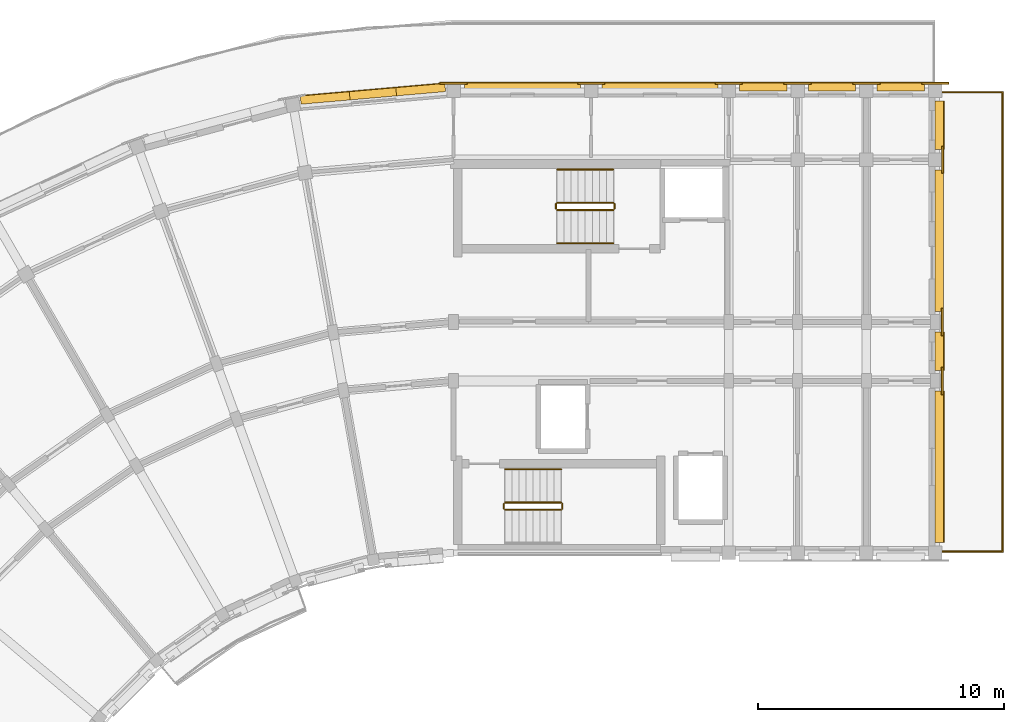
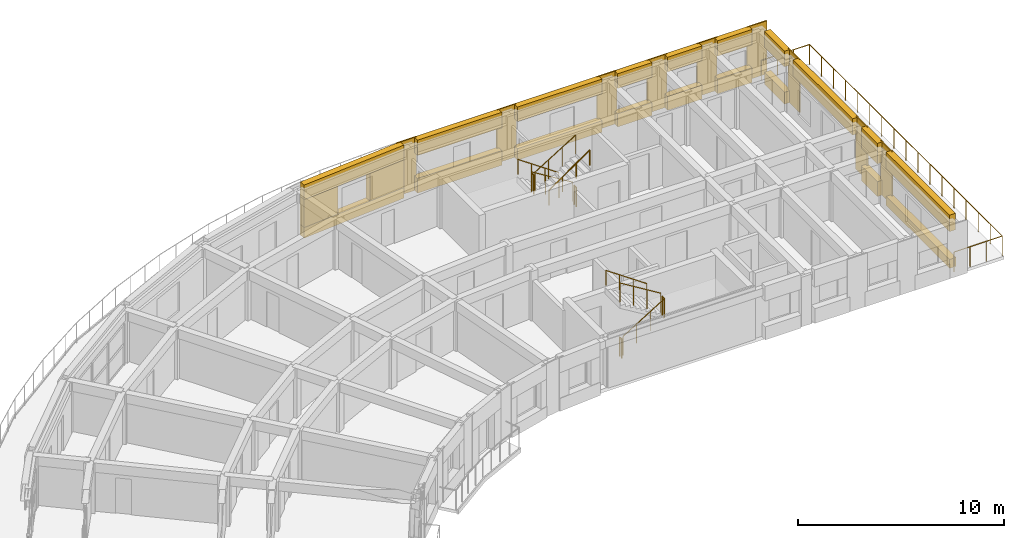
# One storey, part 16 of 16: 30 coverings, 12 railings.
"""IFC4 building model written with IfcOpenShell, lengths in metres."""

from ifc_helpers import new_model, si_unit, direction, frame, origin, origin_2d, place, context, subcontext, project, spatial, polyline, circle, outline, extrude, material, layer, layer_set, type_object, element, save


model = new_model("IFC4")

# Units and contexts
model_context = context("Model", 3, precision=1e-05, world=origin(), true_north=direction((0.0, 1.0)))
body_context = subcontext(model_context, "Body", "Model", "MODEL_VIEW")
ifc_project = project(units=[si_unit("LENGTHUNIT", "METRE"), si_unit("AREAUNIT", "SQUARE_METRE"), si_unit("VOLUMEUNIT", "CUBIC_METRE"), si_unit("PLANEANGLEUNIT", "RADIAN"), si_unit("MASSUNIT", "GRAM", prefix="KILO")], contexts=[model_context])

# Site, building, storey
site_placement = place(None, origin())
site = spatial("IfcSite", under=ifc_project, at=site_placement, CompositionType="ELEMENT")
building_placement = place(site_placement, origin())
building = spatial("IfcBuilding", under=site, at=building_placement, Name="Kiranvali Square Residences", CompositionType="ELEMENT")
storey_placement = place(building_placement, frame((0.0, 0.0, 46.5)))
storey = spatial("IfcBuildingStorey", under=building, at=storey_placement, Name="L14", CompositionType="ELEMENT", Elevation=46.5)

# Coverings
ifc_material_1 = material(Name="Honed Porbandar limestone ashlar facade cladding", Category="masonry")
ifc_layer_1 = layer(ifc_material_1, 0.3798828125)
ifc_layer_set_1 = layer_set([ifc_layer_1], Name="Honed Porbandar limestone ashlar facade cladding")
covering_type_1 = type_object("IfcCoveringType", Name="COV-CLAD-JAMB", PredefinedType="CLADDING", material=ifc_layer_set_1)
covering_1_placement = place(storey_placement, frame((0.0, 0.0, 0.6298828125)))
element("IfcCovering", 1, at=covering_1_placement, inside=storey, type_object=covering_type_1, Name="L14 deep limestone window jamb reveal A-L14-CRV-00.L", PredefinedType="CLADDING", context=body_context, shape_type="SweptSolid", body=[
    extrude(outline(polyline([(47.846923828125, 125.705322265625), (45.8525390625, 125.531005859375), (45.8818359375, 125.19775390625), (47.876220703125, 125.3720703125), (47.846923828125, 125.705322265625)])), origin(), (0.0, 0.0, 1.0), 1.650146484375),
])
covering_2_placement = place(storey_placement, frame((0.0, 0.0, 0.6298828125)))
element("IfcCovering", 2, at=covering_2_placement, inside=storey, type_object=covering_type_1, Name="L14 deep limestone window jamb reveal A-L14-CRV-00.R", PredefinedType="CLADDING", context=body_context, shape_type="SweptSolid", body=[
    extrude(outline(polyline([(43.959716796875, 125.365234375), (41.96533203125, 125.19091796875), (41.99462890625, 124.857666015625), (43.989013671875, 125.031982421875), (43.959716796875, 125.365234375)])), origin(), (0.0, 0.0, 1.0), 1.650146484375),
])
ifc_layer_2 = layer(ifc_material_1, 0.06494140625)
ifc_layer_set_2 = layer_set([ifc_layer_2], Name="Honed Porbandar limestone ashlar facade cladding")
covering_type_2 = type_object("IfcCoveringType", Name="COV-CLAD-PIER", PredefinedType="CLADDING", material=ifc_layer_set_2)
covering_3_placement = place(storey_placement, frame((0.0, 0.0, 0.0048828125)))
element("IfcCovering", 3, at=covering_3_placement, inside=storey, type_object=covering_type_2, Name="L14 Classical limestone corner pilaster CLAD-PR-A-L14-A00", PredefinedType="CLADDING", context=body_context, shape_type="SweptSolid", body=[
    extrude(outline(polyline([(48.7548828125, 125.742919921875), (47.64501953125, 125.742919921875), (47.64501953125, 125.675537109375), (48.7548828125, 125.675537109375), (48.7548828125, 125.742919921875)])), origin(), (0.0, 0.0, 1.0), 3.14013671875),
])
ifc_layer_3 = layer(ifc_material_1, 0.054931640625)
ifc_layer_set_3 = layer_set([ifc_layer_3], Name="Honed Porbandar limestone ashlar facade cladding")
covering_type_3 = type_object("IfcCoveringType", Name="COV-CLAD-PIER-UP", PredefinedType="CLADDING", material=ifc_layer_set_3)
covering_4_placement = place(storey_placement, frame((0.0, 0.0, 0.0048828125)))
element("IfcCovering", 4, at=covering_4_placement, inside=storey, type_object=covering_type_3, Name="L14 Classical limestone pilaster casing CLAD-PR-A-L14-U56", PredefinedType="CLADDING", context=body_context, shape_type="SweptSolid", body=[
    extrude(outline(polyline([(53.2451171875, 125.675537109375), (54.35498046875, 125.675537109375), (54.35498046875, 125.742919921875), (53.2451171875, 125.742919921875), (53.2451171875, 125.675537109375)])), origin(), (0.0, 0.0, 1.0), 3.14013671875),
])
covering_5_placement = place(storey_placement, frame((0.0, 0.0, 0.0048828125)))
element("IfcCovering", 5, at=covering_5_placement, inside=storey, type_object=covering_type_3, Name="L14 Classical limestone pilaster casing CLAD-PR-A-L14-U112", PredefinedType="CLADDING", context=body_context, shape_type="SweptSolid", body=[
    extrude(outline(polyline([(58.844970703125, 125.675537109375), (59.955078125, 125.675537109375), (59.955078125, 125.742919921875), (58.844970703125, 125.742919921875), (58.844970703125, 125.675537109375)])), origin(), (0.0, 0.0, 1.0), 3.14013671875),
])
covering_6_placement = place(storey_placement, frame((0.0, 0.0, 0.0048828125)))
element("IfcCovering", 6, at=covering_6_placement, inside=storey, type_object=covering_type_3, Name="L14 Classical limestone pilaster casing CLAD-PR-A-L14-U140", PredefinedType="CLADDING", context=body_context, shape_type="SweptSolid", body=[
    extrude(outline(polyline([(61.64501953125, 125.675537109375), (62.7548828125, 125.675537109375), (62.7548828125, 125.742919921875), (61.64501953125, 125.742919921875), (61.64501953125, 125.675537109375)])), origin(), (0.0, 0.0, 1.0), 3.14013671875),
])
covering_7_placement = place(storey_placement, frame((0.0, 0.0, 0.0048828125)))
element("IfcCovering", 7, at=covering_7_placement, inside=storey, type_object=covering_type_3, Name="L14 Classical limestone pilaster casing CLAD-PR-A-L14-U167", PredefinedType="CLADDING", context=body_context, shape_type="SweptSolid", body=[
    extrude(outline(polyline([(64.445068359375, 125.675537109375), (65.554931640625, 125.675537109375), (65.554931640625, 125.742919921875), (64.445068359375, 125.742919921875), (64.445068359375, 125.675537109375)])), origin(), (0.0, 0.0, 1.0), 3.14013671875),
])
covering_8_placement = place(storey_placement, frame((0.0, 0.0, 0.0048828125)))
element("IfcCovering", 8, at=covering_8_placement, inside=storey, type_object=covering_type_3, Name="L14 Classical limestone pilaster casing CLAD-PR-A-L14-U195", PredefinedType="CLADDING", context=body_context, shape_type="SweptSolid", body=[
    extrude(outline(polyline([(67.2451171875, 125.675537109375), (68.35498046875, 125.675537109375), (68.35498046875, 125.742919921875), (67.2451171875, 125.742919921875), (67.2451171875, 125.675537109375)])), origin(), (0.0, 0.0, 1.0), 3.14013671875),
])
covering_9_placement = place(storey_placement, frame((0.0, 0.0, 0.0048828125)))
element("IfcCovering", 9, at=covering_9_placement, inside=storey, type_object=covering_type_3, Name="L14 Classical limestone pilaster casing CLAD-PRA1E-A-L14-R258", PredefinedType="CLADDING", context=body_context, shape_type="SweptSolid", body=[
    extrude(outline(polyline([(68.117919921875, 113.044921875), (68.117919921875, 114.155029296875), (68.050537109375, 114.155029296875), (68.050537109375, 113.044921875), (68.117919921875, 113.044921875)])), origin(), (0.0, 0.0, 1.0), 3.14013671875),
])
covering_10_placement = place(storey_placement, frame((0.0, 0.0, 0.0048828125)))
element("IfcCovering", 10, at=covering_10_placement, inside=storey, type_object=covering_type_3, Name="L14 Classical limestone pilaster casing CLAD-PRA1E-A-L14-R282", PredefinedType="CLADDING", context=body_context, shape_type="SweptSolid", body=[
    extrude(outline(polyline([(68.117919921875, 115.445068359375), (68.117919921875, 116.554931640625), (68.050537109375, 116.554931640625), (68.050537109375, 115.445068359375), (68.117919921875, 115.445068359375)])), origin(), (0.0, 0.0, 1.0), 3.14013671875),
])
covering_11_placement = place(storey_placement, frame((0.0, 0.0, 0.0048828125)))
element("IfcCovering", 11, at=covering_11_placement, inside=storey, type_object=covering_type_3, Name="L14 Classical limestone pilaster casing CLAD-PRA1E-A-L14-R348", PredefinedType="CLADDING", context=body_context, shape_type="SweptSolid", body=[
    extrude(outline(polyline([(68.14306640625, 122.044921875), (68.14306640625, 123.155029296875), (68.075439453125, 123.155029296875), (68.075439453125, 122.044921875), (68.14306640625, 122.044921875)])), origin(), (0.0, 0.0, 1.0), 3.14013671875),
])
ifc_layer_4 = layer(ifc_material_1, 0.360107421875)
ifc_layer_set_4 = layer_set([ifc_layer_4], Name="Honed Porbandar limestone ashlar facade cladding")
covering_type_4 = type_object("IfcCoveringType", Name="COV-CLAD-WALL", PredefinedType="CLADDING", material=ifc_layer_set_4)
covering_12_placement = place(storey_placement, frame((0.0, 0.0, 2.280029296875)))
element("IfcCovering", 12, at=covering_12_placement, inside=storey, type_object=covering_type_4, Name="L14 light limestone spandrel lintel A-L14-CRV-00", PredefinedType="CLADDING", context=body_context, shape_type="SweptSolid", body=[
    extrude(outline(polyline([(47.846923828125, 125.705322265625), (41.96533203125, 125.19091796875), (41.99462890625, 124.857666015625), (47.876220703125, 125.3720703125), (47.846923828125, 125.705322265625)])), origin(), (0.0, 0.0, 1.0), 0.864990234375),
])
covering_13_placement = place(storey_placement, frame((0.0, 0.0, 2.22998046875)))
element("IfcCovering", 13, at=covering_13_placement, inside=storey, type_object=covering_type_4, Name="L14 light limestone spandrel lintel A-L14-A1O-0", PredefinedType="CLADDING", context=body_context, shape_type="SweptSolid", body=[
    extrude(outline(polyline([(48.639892578125, 125.400390625), (53.360107421875, 125.400390625), (53.360107421875, 125.72509765625), (48.639892578125, 125.72509765625), (48.639892578125, 125.400390625)])), origin(), (0.0, 0.0, 1.0), 0.9150390625),
])
covering_14_placement = place(storey_placement, frame((0.0, 0.0, 2.280029296875)))
element("IfcCovering", 14, at=covering_14_placement, inside=storey, type_object=covering_type_4, Name="L14 light limestone spandrel lintel A-L14-A1O-1", PredefinedType="CLADDING", context=body_context, shape_type="SweptSolid", body=[
    extrude(outline(polyline([(54.239990234375, 125.400390625), (58.9599609375, 125.400390625), (58.9599609375, 125.72509765625), (54.239990234375, 125.72509765625), (54.239990234375, 125.400390625)])), origin(), (0.0, 0.0, 1.0), 0.864990234375),
])
covering_15_placement = place(storey_placement, frame((0.0, 0.0, 2.280029296875)))
element("IfcCovering", 15, at=covering_15_placement, inside=storey, type_object=covering_type_4, Name="L14 light limestone spandrel lintel A-L14-A1O-2", PredefinedType="CLADDING", context=body_context, shape_type="SweptSolid", body=[
    extrude(outline(polyline([(59.840087890625, 125.400390625), (61.760009765625, 125.400390625), (61.760009765625, 125.72509765625), (59.840087890625, 125.72509765625), (59.840087890625, 125.400390625)])), origin(), (0.0, 0.0, 1.0), 0.864990234375),
])
covering_16_placement = place(storey_placement, frame((0.0, 0.0, 2.280029296875)))
element("IfcCovering", 16, at=covering_16_placement, inside=storey, type_object=covering_type_4, Name="L14 light limestone spandrel lintel A-L14-A1O-3", PredefinedType="CLADDING", context=body_context, shape_type="SweptSolid", body=[
    extrude(outline(polyline([(62.639892578125, 125.400390625), (64.56005859375, 125.400390625), (64.56005859375, 125.72509765625), (62.639892578125, 125.72509765625), (62.639892578125, 125.400390625)])), origin(), (0.0, 0.0, 1.0), 0.864990234375),
])
covering_17_placement = place(storey_placement, frame((0.0, 0.0, 2.22998046875)))
element("IfcCovering", 17, at=covering_17_placement, inside=storey, type_object=covering_type_4, Name="L14 light limestone spandrel lintel A-L14-A1O-4", PredefinedType="CLADDING", context=body_context, shape_type="SweptSolid", body=[
    extrude(outline(polyline([(65.43994140625, 125.400390625), (67.360107421875, 125.400390625), (67.360107421875, 125.72509765625), (65.43994140625, 125.72509765625), (65.43994140625, 125.400390625)])), origin(), (0.0, 0.0, 1.0), 0.9150390625),
])
covering_18_placement = place(storey_placement, frame((0.0, 0.0, 2.172119140625)))
element("IfcCovering", 18, at=covering_18_placement, inside=storey, type_object=covering_type_4, Name="L14 light limestone spandrel lintel A-L14-A1END-0", PredefinedType="CLADDING", context=body_context, shape_type="SweptSolid", body=[
    extrude(outline(polyline([(68.139892578125, 107.02001953125), (68.139892578125, 113.179931640625), (67.800537109375, 113.179931640625), (67.800537109375, 107.02001953125), (68.139892578125, 107.02001953125)])), origin(), (0.0, 0.0, 1.0), 0.972900390625),
])
covering_19_placement = place(storey_placement, frame((0.0, 0.0, 1.929931640625)))
element("IfcCovering", 19, at=covering_19_placement, inside=storey, type_object=covering_type_4, Name="L14 light limestone spandrel lintel A-L14-A1END-1", PredefinedType="CLADDING", context=body_context, shape_type="SweptSolid", body=[
    extrude(outline(polyline([(68.139892578125, 114.02001953125), (68.139892578125, 115.580078125), (67.800537109375, 115.580078125), (67.800537109375, 114.02001953125), (68.139892578125, 114.02001953125)])), origin(), (0.0, 0.0, 1.0), 1.215087890625),
])
covering_20_placement = place(storey_placement, frame((0.0, 0.0, 2.179931640625)))
element("IfcCovering", 20, at=covering_20_placement, inside=storey, type_object=covering_type_4, Name="L14 light limestone spandrel lintel A-L14-A1END-2", PredefinedType="CLADDING", context=body_context, shape_type="SweptSolid", body=[
    extrude(outline(polyline([(68.139892578125, 116.419921875), (68.139892578125, 122.179931640625), (67.800537109375, 122.179931640625), (67.800537109375, 116.419921875), (68.139892578125, 116.419921875)])), origin(), (0.0, 0.0, 1.0), 0.965087890625),
])
covering_21_placement = place(storey_placement, frame((0.0, 0.0, 2.2119140625)))
element("IfcCovering", 21, at=covering_21_placement, inside=storey, type_object=covering_type_4, Name="L14 light limestone spandrel lintel A-L14-A1END-3", PredefinedType="CLADDING", context=body_context, shape_type="SweptSolid", body=[
    extrude(outline(polyline([(68.139892578125, 123.02001953125), (68.139892578125, 124.97998046875), (67.800537109375, 124.97998046875), (67.800537109375, 123.02001953125), (68.139892578125, 123.02001953125)])), origin(), (0.0, 0.0, 1.0), 0.93310546875),
])
ifc_layer_5 = layer(ifc_material_1, 0.320068359375)
ifc_layer_set_5 = layer_set([ifc_layer_5], Name="Honed Porbandar limestone ashlar facade cladding")
covering_type_5 = type_object("IfcCoveringType", Name="COV-CLAD-WALL-UP", PredefinedType="CLADDING", material=ifc_layer_set_5)
covering_22_placement = place(storey_placement, frame((0.0, 0.0, 0.0048828125)))
element("IfcCovering", 22, at=covering_22_placement, inside=storey, type_object=covering_type_5, Name="L14 limestone window sill apron A-L14-CRV-00", PredefinedType="CLADDING", context=body_context, shape_type="SweptSolid", body=[
    extrude(outline(polyline([(47.844482421875, 125.7353515625), (41.962890625, 125.220703125), (41.99462890625, 124.857666015625), (47.876220703125, 125.3720703125), (47.844482421875, 125.7353515625)])), origin(), (0.0, 0.0, 1.0), 0.625),
])
covering_23_placement = place(storey_placement, frame((0.0, 0.0, 0.0048828125)))
element("IfcCovering", 23, at=covering_23_placement, inside=storey, type_object=covering_type_5, Name="L14 limestone window sill apron A-L14-A1O-0", PredefinedType="CLADDING", context=body_context, shape_type="SweptSolid", body=[
    extrude(outline(polyline([(48.639892578125, 125.400390625), (53.360107421875, 125.400390625), (53.360107421875, 125.7548828125), (48.639892578125, 125.7548828125), (48.639892578125, 125.400390625)])), origin(), (0.0, 0.0, 1.0), 0.875),
])
covering_24_placement = place(storey_placement, frame((0.0, 0.0, 0.0048828125)))
element("IfcCovering", 24, at=covering_24_placement, inside=storey, type_object=covering_type_5, Name="L14 limestone window sill apron A-L14-A1O-1", PredefinedType="CLADDING", context=body_context, shape_type="SweptSolid", body=[
    extrude(outline(polyline([(54.239990234375, 125.400390625), (58.9599609375, 125.400390625), (58.9599609375, 125.7548828125), (54.239990234375, 125.7548828125), (54.239990234375, 125.400390625)])), origin(), (0.0, 0.0, 1.0), 0.675048828125),
])
covering_25_placement = place(storey_placement, frame((0.0, 0.0, 0.0048828125)))
element("IfcCovering", 25, at=covering_25_placement, inside=storey, type_object=covering_type_5, Name="L14 limestone window sill apron A-L14-A1O-2", PredefinedType="CLADDING", context=body_context, shape_type="SweptSolid", body=[
    extrude(outline(polyline([(59.840087890625, 125.400390625), (61.760009765625, 125.400390625), (61.760009765625, 125.7548828125), (59.840087890625, 125.7548828125), (59.840087890625, 125.400390625)])), origin(), (0.0, 0.0, 1.0), 0.775146484375),
])
covering_26_placement = place(storey_placement, frame((0.0, 0.0, 0.0048828125)))
element("IfcCovering", 26, at=covering_26_placement, inside=storey, type_object=covering_type_5, Name="L14 limestone window sill apron A-L14-A1O-3", PredefinedType="CLADDING", context=body_context, shape_type="SweptSolid", body=[
    extrude(outline(polyline([(62.639892578125, 125.400390625), (64.56005859375, 125.400390625), (64.56005859375, 125.7548828125), (62.639892578125, 125.7548828125), (62.639892578125, 125.400390625)])), origin(), (0.0, 0.0, 1.0), 0.8251953125),
])
covering_27_placement = place(storey_placement, frame((0.0, 0.0, 0.0048828125)))
element("IfcCovering", 27, at=covering_27_placement, inside=storey, type_object=covering_type_5, Name="L14 limestone window sill apron A-L14-A1O-4", PredefinedType="CLADDING", context=body_context, shape_type="SweptSolid", body=[
    extrude(outline(polyline([(65.43994140625, 125.400390625), (67.360107421875, 125.400390625), (67.360107421875, 125.7548828125), (65.43994140625, 125.7548828125), (65.43994140625, 125.400390625)])), origin(), (0.0, 0.0, 1.0), 0.875),
])
covering_28_placement = place(storey_placement, frame((0.0, 0.0, 0.0048828125)))
element("IfcCovering", 28, at=covering_28_placement, inside=storey, type_object=covering_type_5, Name="L14 limestone window sill apron A-L14-A1END-0", PredefinedType="CLADDING", context=body_context, shape_type="SweptSolid", body=[
    extrude(outline(polyline([(68.169921875, 107.02001953125), (68.169921875, 113.179931640625), (67.800537109375, 113.179931640625), (67.800537109375, 107.02001953125), (68.169921875, 107.02001953125)])), origin(), (0.0, 0.0, 1.0), 0.51708984375),
])
covering_29_placement = place(storey_placement, frame((0.0, 0.0, 0.0048828125)))
element("IfcCovering", 29, at=covering_29_placement, inside=storey, type_object=covering_type_5, Name="L14 limestone window sill apron A-L14-A1END-1", PredefinedType="CLADDING", context=body_context, shape_type="SweptSolid", body=[
    extrude(outline(polyline([(68.169921875, 114.02001953125), (68.169921875, 115.580078125), (67.800537109375, 115.580078125), (67.800537109375, 114.02001953125), (68.169921875, 114.02001953125)])), origin(), (0.0, 0.0, 1.0), 0.875),
])
covering_30_placement = place(storey_placement, frame((0.0, 0.0, 0.0048828125)))
element("IfcCovering", 30, at=covering_30_placement, inside=storey, type_object=covering_type_5, Name="L14 limestone window sill apron A-L14-A1END-3", PredefinedType="CLADDING", context=body_context, shape_type="SweptSolid", body=[
    extrude(outline(polyline([(68.169921875, 123.02001953125), (68.169921875, 124.97998046875), (67.800537109375, 124.97998046875), (67.800537109375, 123.02001953125), (68.169921875, 123.02001953125)])), origin(), (0.0, 0.0, 1.0), 0.70703125),
])

# Railings
ifc_material_2 = material(Name="Brushed stainless steel tubular handrail", Category="steel")
railing_type_1 = type_object("IfcRailingType", Name="RL-HANDRAIL-900", PredefinedType="HANDRAIL", material=ifc_material_2)
railing_1_placement = place(storey_placement, frame((54.699951171875, 122.199951171875, 0.175048828125)))
element("IfcRailing", 31, at=railing_1_placement, inside=storey, type_object=railing_type_1, Name="L14 ST-A1 stair handrail 1", PredefinedType="HANDRAIL", context=body_context, shape_type="SweptSolid", body=[
    extrude(circle(Radius=0.02392578125, at=origin_2d()), frame((0.0, 0.0, 0.8759765625), z_axis=(-0.82278801735, 0.0, 0.568348377763), x_axis=(0.0, -1.0, 0.0)), (0.0, 0.0, 1.0), 2.77099609375),
    extrude(circle(Radius=0.02099609375, at=origin_2d()), origin(), (0.0, 0.0, 1.0), 0.851806640625),
    extrude(circle(Radius=0.02099609375, at=origin_2d()), frame((-0.760009765625, 0.0, 0.52490234375)), (0.0, 0.0, 1.0), 0.851806640625),
    extrude(circle(Radius=0.02099609375, at=origin_2d()), frame((-1.52001953125, 0.0, 1.050048828125)), (0.0, 0.0, 1.0), 0.851806640625),
    extrude(circle(Radius=0.02099609375, at=origin_2d()), frame((-2.280029296875, 0.0, 1.574951171875)), (0.0, 0.0, 1.0), 0.851806640625),
])
railing_2_placement = place(storey_placement, frame((52.419921875, 119.199951171875, 1.75)))
element("IfcRailing", 32, at=railing_2_placement, inside=storey, type_object=railing_type_1, Name="L14 ST-A1 stair handrail 2", PredefinedType="HANDRAIL", context=body_context, shape_type="SweptSolid", body=[
    extrude(circle(Radius=0.02392578125, at=origin_2d()), frame((0.0, 0.0, 0.8759765625), z_axis=(0.82278801735, 0.0, 0.568348377763), x_axis=(0.0, 1.0, 0.0)), (0.0, 0.0, 1.0), 2.77099609375),
    extrude(circle(Radius=0.02099609375, at=origin_2d()), origin(), (0.0, 0.0, 1.0), 0.851806640625),
    extrude(circle(Radius=0.02099609375, at=origin_2d()), frame((0.760009765625, 0.0, 0.52490234375)), (0.0, 0.0, 1.0), 0.851806640625),
    extrude(circle(Radius=0.02099609375, at=origin_2d()), frame((1.52001953125, 0.0, 1.050048828125)), (0.0, 0.0, 1.0), 0.851806640625),
    extrude(circle(Radius=0.02099609375, at=origin_2d()), frame((2.280029296875, 0.0, 1.574951171875)), (0.0, 0.0, 1.0), 0.851806640625),
])
railing_3_placement = place(storey_placement, frame((52.580078125, 110.0, 1.75)))
element("IfcRailing", 33, at=railing_3_placement, inside=storey, type_object=railing_type_1, Name="L14 ST-A2 stair handrail 2", PredefinedType="HANDRAIL", context=body_context, shape_type="SweptSolid", body=[
    extrude(circle(Radius=0.02392578125, at=origin_2d()), frame((0.0, 0.0, 0.8759765625), z_axis=(-0.82278801735, 0.0, 0.568348377763), x_axis=(0.0, -1.0, 0.0)), (0.0, 0.0, 1.0), 2.77099609375),
    extrude(circle(Radius=0.02099609375, at=origin_2d()), origin(), (0.0, 0.0, 1.0), 0.851806640625),
    extrude(circle(Radius=0.02099609375, at=origin_2d()), frame((-0.760009765625, 0.0, 0.52490234375)), (0.0, 0.0, 1.0), 0.851806640625),
    extrude(circle(Radius=0.02099609375, at=origin_2d()), frame((-1.52001953125, 0.0, 1.050048828125)), (0.0, 0.0, 1.0), 0.851806640625),
    extrude(circle(Radius=0.02099609375, at=origin_2d()), frame((-2.280029296875, 0.0, 1.574951171875)), (0.0, 0.0, 1.0), 0.851806640625),
])
ifc_material_3 = material(Name="Powder-coated architectural bronze balustrade", Category="steel")
railing_type_2 = type_object("IfcRailingType", Name="RL-ST-GUARD-1200", PredefinedType="GUARDRAIL", material=ifc_material_3)
railing_4_placement = place(storey_placement, frame((54.699951171875, 120.85009765625, 0.175048828125)))
element("IfcRailing", 34, at=railing_4_placement, inside=storey, type_object=railing_type_2, Name="L14 ST-A1 stair guard 1", PredefinedType="GUARDRAIL", context=body_context, shape_type="SweptSolid", body=[
    extrude(circle(Radius=0.02392578125, at=origin_2d()), frame((0.0, 0.0, 1.1259765625), z_axis=(-0.852190499154, 0.0, 0.523231643875), x_axis=(0.0, -1.0, 0.0)), (0.0, 0.0, 1.0), 2.675537109375),
    extrude(circle(Radius=0.02099609375, at=origin_2d()), origin(), (0.0, 0.0, 1.0), 1.101806640625),
    extrude(circle(Radius=0.02099609375, at=origin_2d()), frame((-0.760009765625, 0.0, 0.466552734375)), (0.0, 0.0, 1.0), 1.101806640625),
    extrude(circle(Radius=0.02099609375, at=origin_2d()), frame((-1.52001953125, 0.0, 0.933349609375)), (0.0, 0.0, 1.0), 1.101806640625),
    extrude(circle(Radius=0.02099609375, at=origin_2d()), frame((-2.280029296875, 0.0, 1.39990234375)), (0.0, 0.0, 1.0), 1.101806640625),
])
railing_5_placement = place(storey_placement, frame((52.3701171875, 120.800048828125, 1.574951171875)))
element("IfcRailing", 35, at=railing_5_placement, inside=storey, type_object=railing_type_2, Name="L14 ST-A1 stair guard 2", PredefinedType="GUARDRAIL", context=body_context, shape_type="SweptSolid", body=[
    extrude(circle(Radius=0.02392578125, at=origin_2d()), frame((0.0, 0.0, 1.1259765625), z_axis=(0.0, -1.0, 0.0), x_axis=(1.0, 0.0, 0.0)), (0.0, 0.0, 1.0), 0.199951171875),
    extrude(circle(Radius=0.02099609375, at=origin_2d()), origin(), (0.0, 0.0, 1.0), 1.101806640625),
    extrude(circle(Radius=0.02099609375, at=origin_2d()), frame((0.0, -0.199951171875, 0.0)), (0.0, 0.0, 1.0), 1.101806640625),
])
railing_6_placement = place(storey_placement, frame((52.419921875, 120.550048828125, 1.75)))
element("IfcRailing", 36, at=railing_6_placement, inside=storey, type_object=railing_type_2, Name="L14 ST-A1 stair guard 3", PredefinedType="GUARDRAIL", context=body_context, shape_type="SweptSolid", body=[
    extrude(circle(Radius=0.02392578125, at=origin_2d()), frame((0.0, 0.0, 1.1259765625), z_axis=(0.852190499154, 0.0, 0.523231643875), x_axis=(0.0, 1.0, 0.0)), (0.0, 0.0, 1.0), 2.675537109375),
    extrude(circle(Radius=0.02099609375, at=origin_2d()), origin(), (0.0, 0.0, 1.0), 1.101806640625),
    extrude(circle(Radius=0.02099609375, at=origin_2d()), frame((0.760009765625, 0.0, 0.466552734375)), (0.0, 0.0, 1.0), 1.101806640625),
    extrude(circle(Radius=0.02099609375, at=origin_2d()), frame((1.52001953125, 0.0, 0.933349609375)), (0.0, 0.0, 1.0), 1.101806640625),
    extrude(circle(Radius=0.02099609375, at=origin_2d()), frame((2.280029296875, 0.0, 1.39990234375)), (0.0, 0.0, 1.0), 1.101806640625),
])
railing_7_placement = place(storey_placement, frame((54.75, 120.800048828125, 0.0)))
element("IfcRailing", 37, at=railing_7_placement, inside=storey, type_object=railing_type_2, Name="L14 ST-A1 stair guard 4", PredefinedType="GUARDRAIL", context=body_context, shape_type="SweptSolid", body=[
    extrude(circle(Radius=0.02392578125, at=origin_2d()), frame((0.0, 0.0, 1.1259765625), z_axis=(0.0, -1.0, 0.0), x_axis=(1.0, 0.0, 0.0)), (0.0, 0.0, 1.0), 0.199951171875),
    extrude(circle(Radius=0.02099609375, at=origin_2d()), origin(), (0.0, 0.0, 1.0), 1.101806640625),
    extrude(circle(Radius=0.02099609375, at=origin_2d()), frame((0.0, -0.199951171875, 0.0)), (0.0, 0.0, 1.0), 1.101806640625),
])
railing_8_placement = place(storey_placement, frame((50.300048828125, 108.35009765625, 0.175048828125)))
element("IfcRailing", 38, at=railing_8_placement, inside=storey, type_object=railing_type_2, Name="L14 ST-A2 stair guard 1", PredefinedType="GUARDRAIL", context=body_context, shape_type="SweptSolid", body=[
    extrude(circle(Radius=0.02392578125, at=origin_2d()), frame((0.0, 0.0, 1.1259765625), z_axis=(0.852190499154, 0.0, 0.523231643875), x_axis=(0.0, 1.0, 0.0)), (0.0, 0.0, 1.0), 2.675537109375),
    extrude(circle(Radius=0.02099609375, at=origin_2d()), origin(), (0.0, 0.0, 1.0), 1.101806640625),
    extrude(circle(Radius=0.02099609375, at=origin_2d()), frame((0.760009765625, 0.0, 0.466552734375)), (0.0, 0.0, 1.0), 1.101806640625),
    extrude(circle(Radius=0.02099609375, at=origin_2d()), frame((1.52001953125, 0.0, 0.933349609375)), (0.0, 0.0, 1.0), 1.101806640625),
    extrude(circle(Radius=0.02099609375, at=origin_2d()), frame((2.280029296875, 0.0, 1.39990234375)), (0.0, 0.0, 1.0), 1.101806640625),
])
railing_9_placement = place(storey_placement, frame((52.6298828125, 108.39990234375, 1.574951171875)))
element("IfcRailing", 39, at=railing_9_placement, inside=storey, type_object=railing_type_2, Name="L14 ST-A2 stair guard 2", PredefinedType="GUARDRAIL", context=body_context, shape_type="SweptSolid", body=[
    extrude(circle(Radius=0.02392578125, at=origin_2d()), frame((0.0, 0.0, 1.1259765625), z_axis=(0.0, 1.0, 0.0), x_axis=(-1.0, 0.0, 0.0)), (0.0, 0.0, 1.0), 0.2001953125),
    extrude(circle(Radius=0.02099609375, at=origin_2d()), origin(), (0.0, 0.0, 1.0), 1.101806640625),
    extrude(circle(Radius=0.02099609375, at=origin_2d()), frame((0.0, 0.2001953125, 0.0)), (0.0, 0.0, 1.0), 1.101806640625),
])
railing_10_placement = place(storey_placement, frame((52.580078125, 108.64990234375, 1.75)))
element("IfcRailing", 40, at=railing_10_placement, inside=storey, type_object=railing_type_2, Name="L14 ST-A2 stair guard 3", PredefinedType="GUARDRAIL", context=body_context, shape_type="SweptSolid", body=[
    extrude(circle(Radius=0.02392578125, at=origin_2d()), frame((0.0, 0.0, 1.1259765625), z_axis=(-0.852190499154, 0.0, 0.523231643875), x_axis=(0.0, -1.0, 0.0)), (0.0, 0.0, 1.0), 2.675537109375),
    extrude(circle(Radius=0.02099609375, at=origin_2d()), origin(), (0.0, 0.0, 1.0), 1.101806640625),
    extrude(circle(Radius=0.02099609375, at=origin_2d()), frame((-0.760009765625, 0.0, 0.466552734375)), (0.0, 0.0, 1.0), 1.101806640625),
    extrude(circle(Radius=0.02099609375, at=origin_2d()), frame((-1.52001953125, 0.0, 0.933349609375)), (0.0, 0.0, 1.0), 1.101806640625),
    extrude(circle(Radius=0.02099609375, at=origin_2d()), frame((-2.280029296875, 0.0, 1.39990234375)), (0.0, 0.0, 1.0), 1.101806640625),
])
railing_11_placement = place(storey_placement, frame((50.25, 108.39990234375, 0.0)))
element("IfcRailing", 41, at=railing_11_placement, inside=storey, type_object=railing_type_2, Name="L14 ST-A2 stair guard 4", PredefinedType="GUARDRAIL", context=body_context, shape_type="SweptSolid", body=[
    extrude(circle(Radius=0.02392578125, at=origin_2d()), frame((0.0, 0.0, 1.1259765625), z_axis=(0.0, 1.0, 0.0), x_axis=(-1.0, 0.0, 0.0)), (0.0, 0.0, 1.0), 0.2001953125),
    extrude(circle(Radius=0.02099609375, at=origin_2d()), origin(), (0.0, 0.0, 1.0), 1.101806640625),
    extrude(circle(Radius=0.02099609375, at=origin_2d()), frame((0.0, 0.2001953125, 0.0)), (0.0, 0.0, 1.0), 1.101806640625),
])
railing_type_3 = type_object("IfcRailingType", Name="RL-TER-GOLD-1200", PredefinedType="BALUSTRADE", material=ifc_material_3)
railing_12_placement = place(storey_placement, frame((67.840087890625, 106.659912109375, 0.0)))
element("IfcRailing", 42, at=railing_12_placement, inside=storey, type_object=railing_type_3, Name="Block A L14 wing-end terrace balustrade", PredefinedType="BALUSTRADE", context=body_context, shape_type="SweptSolid", body=[
    extrude(circle(Radius=0.02392578125, at=origin_2d()), frame((0.0, 0.0, 1.17578125), z_axis=(1.0, 0.0, 0.0), x_axis=(0.0, 1.0, 0.0)), (0.0, 0.0, 1.0), 2.699951171875),
    extrude(circle(Radius=0.02392578125, at=origin_2d()), frame((2.699951171875, 0.0, 1.17578125), z_axis=(0.0, 1.0, 0.0), x_axis=(-1.0, 0.0, 0.0)), (0.0, 0.0, 1.0), 18.68017578125),
    extrude(circle(Radius=0.02392578125, at=origin_2d()), frame((2.699951171875, 18.68017578125, 1.17578125), z_axis=(-1.0, 0.0, 0.0), x_axis=(0.0, -1.0, 0.0)), (0.0, 0.0, 1.0), 2.699951171875),
    extrude(circle(Radius=0.02099609375, at=origin_2d()), origin(), (0.0, 0.0, 1.0), 1.15185546875),
    extrude(circle(Radius=0.02099609375, at=origin_2d()), frame((0.89990234375, 0.0, 0.0)), (0.0, 0.0, 1.0), 1.15185546875),
    extrude(circle(Radius=0.02099609375, at=origin_2d()), frame((1.800048828125, 0.0, 0.0)), (0.0, 0.0, 1.0), 1.15185546875),
    extrude(circle(Radius=0.02099609375, at=origin_2d()), frame((2.699951171875, 0.0, 0.0)), (0.0, 0.0, 1.0), 1.15185546875),
    extrude(circle(Radius=0.02099609375, at=origin_2d()), frame((2.699951171875, 1.16748046875, 0.0)), (0.0, 0.0, 1.0), 1.15185546875),
    extrude(circle(Radius=0.02099609375, at=origin_2d()), frame((2.699951171875, 2.3349609375, 0.0)), (0.0, 0.0, 1.0), 1.15185546875),
    extrude(circle(Radius=0.02099609375, at=origin_2d()), frame((2.699951171875, 3.50244140625, 0.0)), (0.0, 0.0, 1.0), 1.15185546875),
    extrude(circle(Radius=0.02099609375, at=origin_2d()), frame((2.699951171875, 4.669921875, 0.0)), (0.0, 0.0, 1.0), 1.15185546875),
    extrude(circle(Radius=0.02099609375, at=origin_2d()), frame((2.699951171875, 5.837646484375, 0.0)), (0.0, 0.0, 1.0), 1.15185546875),
    extrude(circle(Radius=0.02099609375, at=origin_2d()), frame((2.699951171875, 7.005126953125, 0.0)), (0.0, 0.0, 1.0), 1.15185546875),
    extrude(circle(Radius=0.02099609375, at=origin_2d()), frame((2.699951171875, 8.172607421875, 0.0)), (0.0, 0.0, 1.0), 1.15185546875),
    extrude(circle(Radius=0.02099609375, at=origin_2d()), frame((2.699951171875, 9.340087890625, 0.0)), (0.0, 0.0, 1.0), 1.15185546875),
    extrude(circle(Radius=0.02099609375, at=origin_2d()), frame((2.699951171875, 10.507568359375, 0.0)), (0.0, 0.0, 1.0), 1.15185546875),
    extrude(circle(Radius=0.02099609375, at=origin_2d()), frame((2.699951171875, 11.675048828125, 0.0)), (0.0, 0.0, 1.0), 1.15185546875),
    extrude(circle(Radius=0.02099609375, at=origin_2d()), frame((2.699951171875, 12.842529296875, 0.0)), (0.0, 0.0, 1.0), 1.15185546875),
    extrude(circle(Radius=0.02099609375, at=origin_2d()), frame((2.699951171875, 14.01025390625, 0.0)), (0.0, 0.0, 1.0), 1.15185546875),
    extrude(circle(Radius=0.02099609375, at=origin_2d()), frame((2.699951171875, 15.177734375, 0.0)), (0.0, 0.0, 1.0), 1.15185546875),
    extrude(circle(Radius=0.02099609375, at=origin_2d()), frame((2.699951171875, 16.34521484375, 0.0)), (0.0, 0.0, 1.0), 1.15185546875),
    extrude(circle(Radius=0.02099609375, at=origin_2d()), frame((2.699951171875, 17.5126953125, 0.0)), (0.0, 0.0, 1.0), 1.15185546875),
    extrude(circle(Radius=0.02099609375, at=origin_2d()), frame((2.699951171875, 18.68017578125, 0.0)), (0.0, 0.0, 1.0), 1.15185546875),
    extrude(circle(Radius=0.02099609375, at=origin_2d()), frame((1.800048828125, 18.68017578125, 0.0)), (0.0, 0.0, 1.0), 1.15185546875),
    extrude(circle(Radius=0.02099609375, at=origin_2d()), frame((0.89990234375, 18.68017578125, 0.0)), (0.0, 0.0, 1.0), 1.15185546875),
    extrude(circle(Radius=0.02099609375, at=origin_2d()), frame((0.0, 18.68017578125, 0.0)), (0.0, 0.0, 1.0), 1.15185546875),
])

save(model, "model.ifc")
